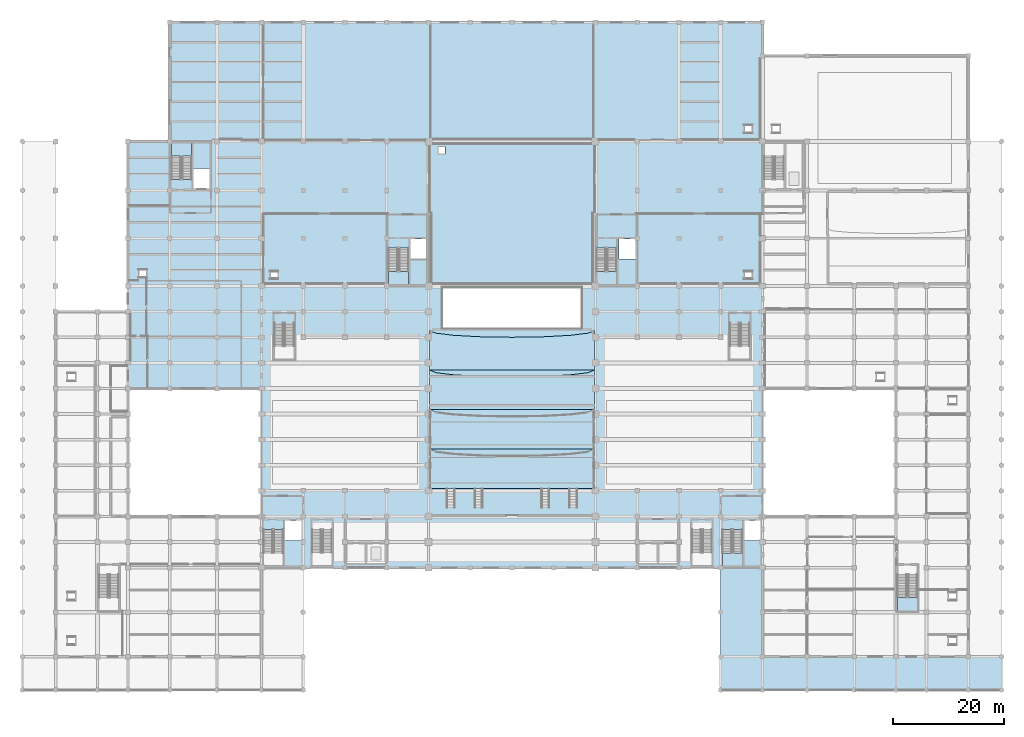
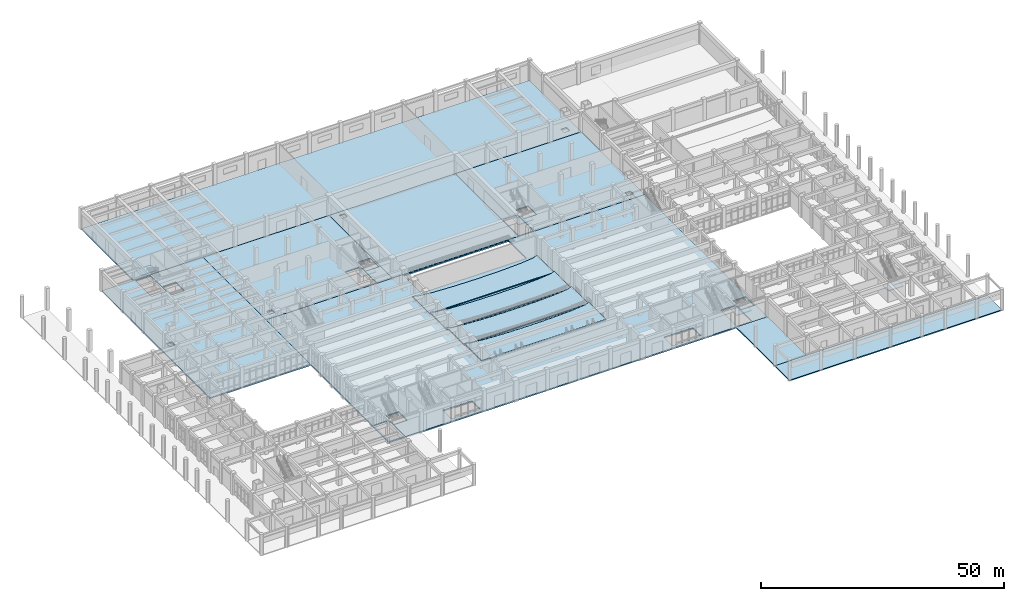
# One storey, part 56 of 84: 17 slabs, 5 elements without a shape of their own.
"""IFC4 building model written with IfcOpenShell, lengths in metres."""

from ifc_helpers import new_model, si_unit, direction, frame, origin, place, context, subcontext, project, spatial, polyline, outline, extrude, material, layer, layer_set, type_object, element, aggregate, save


model = new_model("IFC4")

# Units and contexts
model_context = context("Model", 3, precision=1e-05, world=origin(), true_north=direction((0.0, 1.0)))
body_context = subcontext(model_context, "Body", "Model", "MODEL_VIEW")
ifc_project = project(units=[si_unit("LENGTHUNIT", "METRE"), si_unit("AREAUNIT", "SQUARE_METRE"), si_unit("VOLUMEUNIT", "CUBIC_METRE"), si_unit("PLANEANGLEUNIT", "RADIAN"), si_unit("MASSUNIT", "GRAM", prefix="KILO")], contexts=[model_context])

# Site, building, storey
site_placement = place(None, origin())
site = spatial("IfcSite", under=ifc_project, at=site_placement, CompositionType="ELEMENT")
building_placement = place(site_placement, origin())
building = spatial("IfcBuilding", under=site, at=building_placement, Name="Muzn Square Opera House", CompositionType="ELEMENT")
storey_placement = place(building_placement, origin())
storey = spatial("IfcBuildingStorey", under=building, at=storey_placement, Name="L00", CompositionType="ELEMENT", Elevation=0.0)

# Slabs
ifc_material = material(Name="Concrete C40/50", Category="concrete")
ifc_layer_1 = layer(ifc_material, 0.199951171875, Name="Concrete C40/50", Category="concrete")
ifc_layer_set_1 = layer_set([ifc_layer_1], Name="Concrete C40/50")
slab_type_1 = type_object("IfcSlabType", Name="Auditorium Seating Tier 200mm", PredefinedType="USERDEFINED", material=ifc_layer_set_1)
slab_1_placement = place(storey_placement, origin())
element("IfcSlab", 1, at=slab_1_placement, inside=storey, type_object=slab_type_1, Name="Grand Opera Auditorium Stalls Seating Tier TIER-L00-STALLS-1", ObjectType="SEATING TIER", PredefinedType="USERDEFINED", context=body_context, shape_type="SweptSolid", body=[
    extrude(outline(polyline([(73.2099609375, 57.5), (102.7900390625, 57.5), (102.7900390625, 64.60009765625), (101.664306640625, 64.140869140625), (98.4580078125, 63.75146484375), (93.659912109375, 63.4912109375), (88.0, 63.39990234375), (82.340087890625, 63.4912109375), (77.5419921875, 63.75146484375), (74.335693359375, 64.140869140625), (73.2099609375, 64.60009765625), (73.2099609375, 57.5)])), origin(), (0.0, 0.0, 1.0), 0.199951171875),
])
slab_2_placement = place(storey_placement, frame((0.0, 0.0, 0.300048828125)))
element("IfcSlab", 2, at=slab_2_placement, inside=storey, type_object=slab_type_1, Name="Grand Opera Auditorium Stalls Seating Tier TIER-L00-STALLS-2", ObjectType="SEATING TIER", PredefinedType="USERDEFINED", context=body_context, shape_type="SweptSolid", body=[
    extrude(outline(polyline([(73.2099609375, 50.39990234375), (102.7900390625, 50.39990234375), (102.7900390625, 57.5), (101.664306640625, 57.040771484375), (98.4580078125, 56.651611328125), (93.659912109375, 56.391357421875), (88.0, 56.300048828125), (82.340087890625, 56.391357421875), (77.5419921875, 56.651611328125), (74.335693359375, 57.040771484375), (73.2099609375, 57.5), (73.2099609375, 50.39990234375)])), origin(), (0.0, 0.0, 1.0), 0.199951171875),
])
slab_3_placement = place(storey_placement, frame((0.0, 0.0, 0.75)))
element("IfcSlab", 3, at=slab_3_placement, inside=storey, type_object=slab_type_1, Name="Grand Opera Auditorium Stalls Seating Tier TIER-L00-STALLS-3", ObjectType="SEATING TIER", PredefinedType="USERDEFINED", context=body_context, shape_type="SweptSolid", body=[
    extrude(outline(polyline([(73.2099609375, 43.300048828125), (102.7900390625, 43.300048828125), (102.7900390625, 50.39990234375), (101.664306640625, 49.94091796875), (98.4580078125, 49.551513671875), (93.659912109375, 49.291259765625), (88.0, 49.199951171875), (82.340087890625, 49.291259765625), (77.5419921875, 49.551513671875), (74.335693359375, 49.94091796875), (73.2099609375, 50.39990234375), (73.2099609375, 43.300048828125)])), origin(), (0.0, 0.0, 1.0), 0.199951171875),
])
slab_4_placement = place(storey_placement, frame((0.0, 0.0, 1.10009765625)))
element("IfcSlab", 4, at=slab_4_placement, inside=storey, type_object=slab_type_1, Name="Grand Opera Auditorium Stalls Seating Tier TIER-L00-STALLS-4", ObjectType="SEATING TIER", PredefinedType="USERDEFINED", context=body_context, shape_type="SweptSolid", body=[
    extrude(outline(polyline([(73.2099609375, 36.199951171875), (102.7900390625, 36.199951171875), (102.7900390625, 43.300048828125), (101.664306640625, 42.8408203125), (98.4580078125, 42.451416015625), (93.659912109375, 42.19140625), (88.0, 42.10009765625), (82.340087890625, 42.19140625), (77.5419921875, 42.451416015625), (74.335693359375, 42.8408203125), (73.2099609375, 43.300048828125), (73.2099609375, 36.199951171875)])), origin(), (0.0, 0.0, 1.0), 0.199951171875),
])
ifc_layer_2 = layer(ifc_material, 0.320068359375, Name="Concrete C40/50", Category="concrete")
ifc_layer_set_2 = layer_set([ifc_layer_2], Name="Concrete C40/50")
slab_type_2 = type_object("IfcSlabType", Name="Floor Slab 320mm", PredefinedType="FLOOR", material=ifc_layer_set_2)
slab_5_placement = place(storey_placement, frame((0.0, 0.0, -0.320068359375)))
element("IfcSlab", 5, at=slab_5_placement, inside=storey, type_object=slab_type_2, Name="Floor Slab SLB-L00-HALL", PredefinedType="FLOOR", context=body_context, shape_type="SweptSolid", body=[
    extrude(outline(polyline([(43.0, 22.0), (133.0, 22.0), (133.0, 72.60009765625), (43.0, 72.60009765625), (43.0, 22.0)]), holes=[polyline([(75.5, 65.0), (100.5, 65.0), (100.5, 72.35009765625), (75.5, 72.35009765625), (75.5, 65.0)]), polyline([(43.300048828125, 22.300048828125), (46.89990234375, 22.300048828125), (46.89990234375, 28.83203125), (43.300048828125, 28.83203125), (43.300048828125, 22.300048828125)]), polyline([(47.199951171875, 26.89990234375), (50.199951171875, 26.89990234375), (50.199951171875, 30.5), (47.199951171875, 30.5), (47.199951171875, 26.89990234375)]), polyline([(125.800048828125, 22.300048828125), (129.39990234375, 22.300048828125), (129.39990234375, 28.83203125), (125.800048828125, 28.83203125), (125.800048828125, 22.300048828125)]), polyline([(129.699951171875, 26.89990234375), (132.699951171875, 26.89990234375), (132.699951171875, 30.5), (129.699951171875, 30.5), (129.699951171875, 26.89990234375)]), polyline([(58.300048828125, 22.800048828125), (65.199951171875, 22.800048828125), (65.199951171875, 26.300048828125), (58.300048828125, 26.300048828125), (58.300048828125, 22.800048828125)]), polyline([(110.800048828125, 22.800048828125), (117.699951171875, 22.800048828125), (117.699951171875, 26.300048828125), (110.800048828125, 26.300048828125), (110.800048828125, 22.800048828125)])]), origin(), (0.0, 0.0, 1.0), 0.320068359375),
])
slab_6_placement = place(storey_placement, frame((0.0, 0.0, -0.320068359375)))
element("IfcSlab", 6, at=slab_6_placement, inside=storey, type_object=slab_type_2, Name="Floor Slab SLB-L00-STAGE", PredefinedType="FLOOR", context=body_context, shape_type="SweptSolid", body=[
    extrude(outline(polyline([(73.0, 72.60009765625), (103.0, 72.60009765625), (103.0, 98.60009765625), (73.0, 98.60009765625), (73.0, 72.60009765625)]), holes=[polyline([(74.800048828125, 96.39990234375), (76.0, 96.39990234375), (76.0, 97.60009765625), (74.800048828125, 97.60009765625), (74.800048828125, 96.39990234375)])]), origin(), (0.0, 0.0, 1.0), 0.320068359375),
])
slab_7_placement = place(storey_placement, frame((0.0, 0.0, -0.320068359375)))
element("IfcSlab", 7, at=slab_7_placement, inside=storey, type_object=slab_type_2, Name="Floor Slab SLB-L00-SIDEW", PredefinedType="FLOOR", context=body_context, shape_type="SweptSolid", body=[
    extrude(outline(polyline([(43.0, 72.60009765625), (73.0, 72.60009765625), (73.0, 98.60009765625), (43.0, 98.60009765625), (43.0, 72.60009765625)]), holes=[polyline([(65.800048828125, 72.89990234375), (69.39990234375, 72.89990234375), (69.39990234375, 79.431884765625), (65.800048828125, 79.431884765625), (65.800048828125, 72.89990234375)]), polyline([(69.699951171875, 77.5), (72.699951171875, 77.5), (72.699951171875, 81.10009765625), (69.699951171875, 81.10009765625), (69.699951171875, 77.5)]), polyline([(44.60009765625, 74.0), (45.89990234375, 74.0), (45.89990234375, 75.199951171875), (44.60009765625, 75.199951171875), (44.60009765625, 74.0)])]), origin(), (0.0, 0.0, 1.0), 0.320068359375),
])
slab_8_placement = place(storey_placement, frame((0.0, 0.0, -0.320068359375)))
element("IfcSlab", 8, at=slab_8_placement, inside=storey, type_object=slab_type_2, Name="Floor Slab SLB-L00-SIDEE", PredefinedType="FLOOR", context=body_context, shape_type="SweptSolid", body=[
    extrude(outline(polyline([(103.0, 72.60009765625), (133.0, 72.60009765625), (133.0, 98.60009765625), (103.0, 98.60009765625), (103.0, 72.60009765625)]), holes=[polyline([(103.169921875, 72.89990234375), (106.77001953125, 72.89990234375), (106.77001953125, 79.431884765625), (103.169921875, 79.431884765625), (103.169921875, 72.89990234375)]), polyline([(107.199951171875, 77.5), (110.199951171875, 77.5), (110.199951171875, 81.10009765625), (107.199951171875, 81.10009765625), (107.199951171875, 77.5)]), polyline([(129.800048828125, 74.0), (131.10009765625, 74.0), (131.10009765625, 75.199951171875), (129.800048828125, 75.199951171875), (129.800048828125, 74.0)])]), origin(), (0.0, 0.0, 1.0), 0.320068359375),
])
slab_9_placement = place(storey_placement, frame((0.0, 0.0, -0.320068359375)))
element("IfcSlab", 9, at=slab_9_placement, inside=storey, type_object=slab_type_2, Name="Floor Slab SLB-L00-WNORTH", PredefinedType="FLOOR", context=body_context, shape_type="SweptSolid", body=[
    extrude(outline(polyline([(19.0, 54.199951171875), (43.0, 54.199951171875), (43.0, 98.60009765625), (19.0, 98.60009765625), (19.0, 54.199951171875)]), holes=[polyline([(26.800048828125, 91.76806640625), (30.39990234375, 91.76806640625), (30.39990234375, 98.300048828125), (26.800048828125, 98.300048828125), (26.800048828125, 91.76806640625)]), polyline([(30.699951171875, 90.10009765625), (33.699951171875, 90.10009765625), (33.699951171875, 93.699951171875), (30.699951171875, 93.699951171875), (30.699951171875, 90.10009765625)]), polyline([(21.0, 74.199951171875), (22.300048828125, 74.199951171875), (22.300048828125, 75.5), (21.0, 75.5), (21.0, 74.199951171875)])]), origin(), (0.0, 0.0, 1.0), 0.320068359375),
])
ifc_layer_3 = layer(ifc_material, 0.360107421875, Name="Concrete C40/50", Category="concrete")
ifc_layer_set_3 = layer_set([ifc_layer_3], Name="Concrete C40/50")
slab_type_3 = type_object("IfcSlabType", Name="Floor Slab 360mm", PredefinedType="FLOOR", material=ifc_layer_set_3)
slab_10_placement = place(storey_placement, frame((0.0, 0.0, -0.360107421875)))
element("IfcSlab", 10, at=slab_10_placement, inside=storey, type_object=slab_type_3, Name="Floor Slab SLB-L00-REAR", PredefinedType="FLOOR", context=body_context, shape_type="SweptSolid", body=[
    extrude(outline(polyline([(26.5, 98.60009765625), (133.0, 98.60009765625), (133.0, 120.0), (26.5, 120.0), (26.5, 98.60009765625)]), holes=[polyline([(129.800048828125, 100.199951171875), (131.10009765625, 100.199951171875), (131.10009765625, 101.5), (129.800048828125, 101.5), (129.800048828125, 100.199951171875)])]), origin(), (0.0, 0.0, 1.0), 0.360107421875),
])

# Stair, slab
stair_type = type_object("IfcStairType", Name="Core Escape Dogleg Stair", PredefinedType="HALF_TURN_STAIR", material=ifc_material)
stair_1_placement = place(storey_placement, origin())
stair_1 = element("IfcStair", 11, at=stair_1_placement, inside=storey, type_object=stair_type, Name="L00 Escape Stair ST-1", PredefinedType="HALF_TURN_STAIR")
ifc_layer_4 = layer(ifc_material, 0.199951171875, Name="Concrete C40/50", Category="concrete")
ifc_layer_set_4 = layer_set([ifc_layer_4], Name="Concrete C40/50")
slab_type_4 = type_object("IfcSlabType", Name="Stair Half Landing 200mm", PredefinedType="LANDING", material=ifc_layer_set_4)
slab_11_placement = place(storey_placement, frame((0.0, 0.0, 2.5)))
slab_11 = element("IfcSlab", 12, at=slab_11_placement, type_object=slab_type_4, Name="ST-1 landing 1", PredefinedType="LANDING", context=body_context, shape_type="SweptSolid", body=[
    extrude(outline(polyline([(65.800048828125, 75.239990234375), (65.800048828125, 72.89990234375), (69.39990234375, 72.89990234375), (69.39990234375, 75.239990234375), (65.800048828125, 75.239990234375)])), origin(), (0.0, 0.0, 1.0), 0.199951171875),
])
aggregate(stair_1, [slab_11])

stair_2_placement = place(storey_placement, origin())
stair_2 = element("IfcStair", 13, at=stair_2_placement, inside=storey, type_object=stair_type, Name="L00 Escape Stair ST-2", PredefinedType="HALF_TURN_STAIR")
slab_12_placement = place(storey_placement, frame((0.0, 0.0, 2.5)))
slab_12 = element("IfcSlab", 14, at=slab_12_placement, type_object=slab_type_4, Name="ST-2 landing 1", PredefinedType="LANDING", context=body_context, shape_type="SweptSolid", body=[
    extrude(outline(polyline([(103.169921875, 75.239990234375), (103.169921875, 72.89990234375), (106.77001953125, 72.89990234375), (106.77001953125, 75.239990234375), (103.169921875, 75.239990234375)])), origin(), (0.0, 0.0, 1.0), 0.199951171875),
])
aggregate(stair_2, [slab_12])

stair_3_placement = place(storey_placement, origin())
stair_3 = element("IfcStair", 15, at=stair_3_placement, inside=storey, type_object=stair_type, Name="L00 Escape Stair ST-4", PredefinedType="HALF_TURN_STAIR")
slab_13_placement = place(storey_placement, frame((0.0, 0.0, 2.5)))
slab_13 = element("IfcSlab", 16, at=slab_13_placement, type_object=slab_type_4, Name="ST-4 landing 1", PredefinedType="LANDING", context=body_context, shape_type="SweptSolid", body=[
    extrude(outline(polyline([(125.800048828125, 24.639892578125), (125.800048828125, 22.300048828125), (129.39990234375, 22.300048828125), (129.39990234375, 24.639892578125), (125.800048828125, 24.639892578125)])), origin(), (0.0, 0.0, 1.0), 0.199951171875),
])
aggregate(stair_3, [slab_13])

stair_4_placement = place(storey_placement, origin())
stair_4 = element("IfcStair", 17, at=stair_4_placement, inside=storey, type_object=stair_type, Name="L00 Escape Stair ST-6", PredefinedType="HALF_TURN_STAIR")
slab_14_placement = place(storey_placement, frame((0.0, 0.0, 2.5)))
slab_14 = element("IfcSlab", 18, at=slab_14_placement, type_object=slab_type_4, Name="ST-6 landing 1", PredefinedType="LANDING", context=body_context, shape_type="SweptSolid", body=[
    extrude(outline(polyline([(30.39990234375, 95.9599609375), (30.39990234375, 98.300048828125), (26.800048828125, 98.300048828125), (26.800048828125, 95.9599609375), (30.39990234375, 95.9599609375)])), origin(), (0.0, 0.0, 1.0), 0.199951171875),
])
aggregate(stair_4, [slab_14])

stair_5_placement = place(storey_placement, origin())
stair_5 = element("IfcStair", 19, at=stair_5_placement, inside=storey, type_object=stair_type, Name="L00 Escape Stair ST-8", PredefinedType="HALF_TURN_STAIR")
slab_15_placement = place(storey_placement, frame((0.0, 0.0, 2.5)))
slab_15 = element("IfcSlab", 20, at=slab_15_placement, type_object=slab_type_4, Name="ST-8 landing 1", PredefinedType="LANDING", context=body_context, shape_type="SweptSolid", body=[
    extrude(outline(polyline([(157.25, 16.590087890625), (157.25, 14.25), (160.85009765625, 14.25), (160.85009765625, 16.590087890625), (157.25, 16.590087890625)])), origin(), (0.0, 0.0, 1.0), 0.199951171875),
])
aggregate(stair_5, [slab_15])

# Slabs
ifc_layer_5 = layer(ifc_material, 0.260009765625, Name="Concrete C40/50", Category="concrete")
ifc_layer_set_5 = layer_set([ifc_layer_5], Name="Concrete C40/50")
slab_type_5 = type_object("IfcSlabType", Name="Terrace Slab 260mm", PredefinedType="FLOOR", material=ifc_layer_set_5)
slab_16_placement = place(storey_placement, frame((0.0, 0.0, -0.260009765625)))
element("IfcSlab", 21, at=slab_16_placement, inside=storey, type_object=slab_type_5, Name="Outdoor Terrace Slab EXT-L00-COL-ES", PredefinedType="FLOOR", context=body_context, shape_type="SweptSolid", body=[
    extrude(outline(polyline([(125.5, 0.0), (176.0, 0.0), (176.0, 6.0), (125.5, 6.0), (125.5, 0.0)])), origin(), (0.0, 0.0, 1.0), 0.260009765625),
])
slab_17_placement = place(storey_placement, frame((0.0, 0.0, -0.260009765625)))
element("IfcSlab", 22, at=slab_17_placement, inside=storey, type_object=slab_type_5, Name="Outdoor Terrace Slab EXT-L00-COL-EFC", PredefinedType="FLOOR", context=body_context, shape_type="SweptSolid", body=[
    extrude(outline(polyline([(125.5, 6.0), (133.0, 6.0), (133.0, 22.0), (125.5, 22.0), (125.5, 6.0)])), origin(), (0.0, 0.0, 1.0), 0.260009765625),
])

save(model, "model.ifc")
